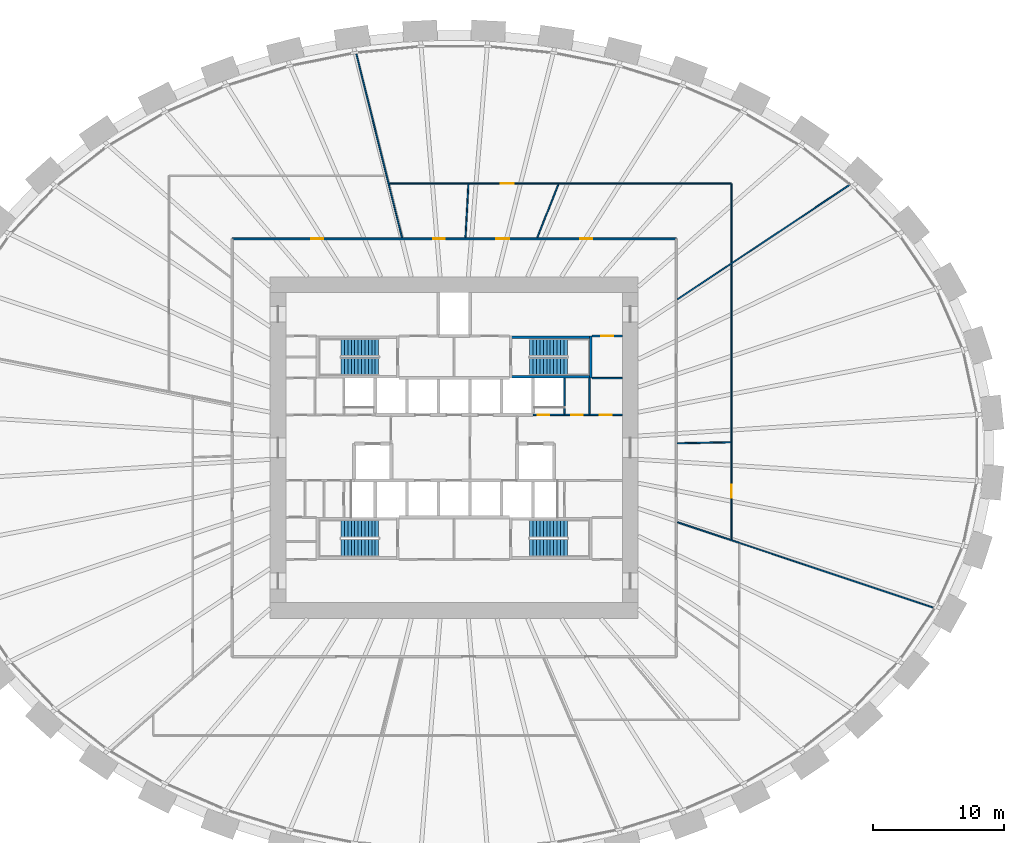
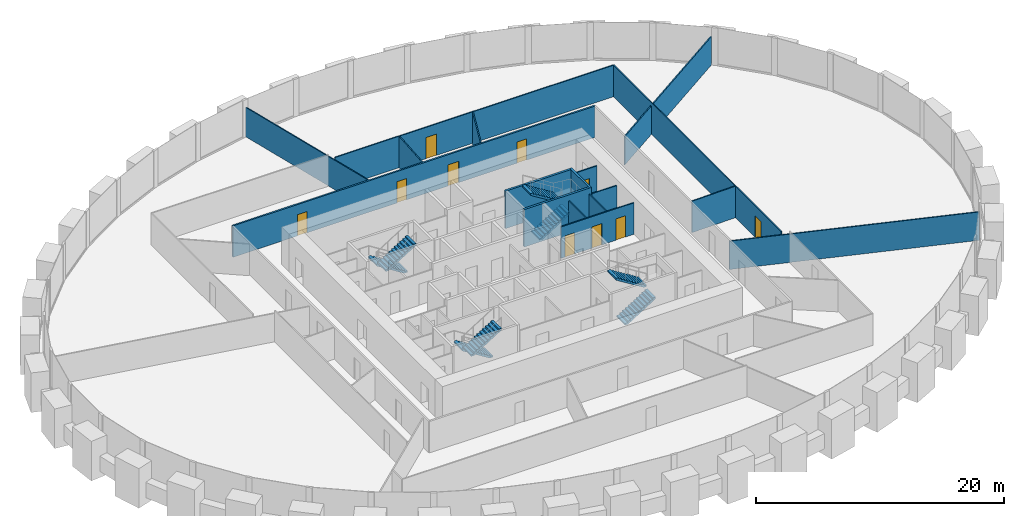
# One storey, part 9 of 10: 17 walls, 10 doors, 8 stair flights, 10 openings, 4 elements without a shape of their own.
"""IFC4 building model written with IfcOpenShell, lengths in metres."""

from ifc_helpers import new_model, si_unit, direction, frame, frame_2d, origin, place, context, subcontext, project, spatial, polyline, rectangle, outline, extrude, source, transform, mapped, material, layer, layer_set, type_object, element, fill, aggregate, save


model = new_model("IFC4")

# Units and contexts
model_context = context("Model", 3, precision=1e-05, world=origin(), true_north=direction((0.0, 1.0)))
body_context = subcontext(model_context, "Body", "Model", "MODEL_VIEW")
ifc_project = project(units=[si_unit("LENGTHUNIT", "METRE"), si_unit("AREAUNIT", "SQUARE_METRE"), si_unit("VOLUMEUNIT", "CUBIC_METRE"), si_unit("PLANEANGLEUNIT", "RADIAN"), si_unit("MASSUNIT", "GRAM", prefix="KILO")], contexts=[model_context])

# Site, building, storey
site_placement = place(None, origin())
site = spatial("IfcSite", under=ifc_project, at=site_placement, CompositionType="ELEMENT")
building_placement = place(site_placement, origin())
building = spatial("IfcBuilding", under=site, at=building_placement, Name="Embergate Tower", CompositionType="ELEMENT")
storey_placement = place(building_placement, frame((0.0, 0.0, 93.199951171875)))
storey = spatial("IfcBuildingStorey", under=building, at=storey_placement, Name="L19", CompositionType="ELEMENT", Elevation=93.199951171875)

# Wall, openings, doors
ifc_material_1 = material(Name="Core partition blockwork 120")
ifc_layer_1 = layer(ifc_material_1, 0.1201171875)
ifc_layer_set_1 = layer_set([ifc_layer_1], Name="Core partition blockwork 120")
wall_type_1 = type_object("IfcWallType", Name="Core partition blockwork 120", PredefinedType="PARTITIONING", material=ifc_layer_set_1)
shared_shape_1 = source(origin(), body_context, "Body", "SweptSolid", [
    extrude(rectangle(XDim=6.800048828125, YDim=0.1201171875, at=frame_2d((3.39990234375, 0.0))), origin(), (0.0, 0.0, 1.0), 3.10009765625),
])
wall_1_placement = place(storey_placement, frame((6.0, 2.5, 0.0), z_axis=(0.0, 0.0, 1.0), x_axis=(1.0, 0.0, 0.0)))
wall_1 = element("IfcWall", 1, at=wall_1_placement, inside=storey, type_object=wall_type_1, Name="IP-3 wall", PredefinedType="PARTITIONING", context=body_context, shape_type="MappedRepresentation", body=[
    mapped(shared_shape_1, transform((0.0, 0.0, 0.0))),
])
shared_shape_2 = source(origin(), body_context, "Body", "SweptSolid", [
    extrude(rectangle(XDim=0.89990234375, YDim=2.10009765625, at=frame_2d((0.449951171875, 1.050048828125))), frame((0.0, 0.070068359375, 0.0), z_axis=(0.0, -1.0, 0.0), x_axis=(1.0, 0.0, 0.0)), (0.0, 0.0, 1.0), 0.14013671875),
])
opening_1_placement = place(wall_1_placement, frame((0.35009765625, 0.0, 0.0)))
opening_1 = element("IfcOpeningElement", 2, at=opening_1_placement, cuts=wall_1, Name="Opening ID-1", PredefinedType="OPENING", context=body_context, shape_type="MappedRepresentation", body=[
    mapped(shared_shape_2, transform((0.0, 0.0, 0.0))),
])
opening_2_placement = place(wall_1_placement, frame((2.89599609375, 0.0, 0.0)))
opening_2 = element("IfcOpeningElement", 3, at=opening_2_placement, cuts=wall_1, Name="Opening ID-1", PredefinedType="OPENING", context=body_context, shape_type="MappedRepresentation", body=[
    mapped(shared_shape_2, transform((0.0, 0.0, 0.0))),
])
opening_3_placement = place(wall_1_placement, frame((5.095947265625, 0.0, 0.0)))
opening_3 = element("IfcOpeningElement", 4, at=opening_3_placement, cuts=wall_1, Name="Opening ID-1", PredefinedType="OPENING", context=body_context, shape_type="MappedRepresentation", body=[
    mapped(shared_shape_2, transform((0.0, 0.0, 0.0))),
])
ifc_material_2 = material(Name="Interior door 900")
door_type_1 = type_object("IfcDoorType", Name="Interior door 900", OperationType="SINGLE_SWING_LEFT", PredefinedType="DOOR", material=ifc_material_2)
shared_shape_3 = source(origin(), body_context, "Body", "SweptSolid", [
    extrude(rectangle(XDim=0.89990234375, YDim=2.10009765625, at=frame_2d((0.449951171875, 1.050048828125))), frame((0.0, 0.02490234375, 0.0), z_axis=(0.0, -1.0, 0.0), x_axis=(1.0, 0.0, 0.0)), (0.0, 0.0, 1.0), 0.050048828125),
])
door_1_placement = place(opening_1_placement, origin())
door_1 = element("IfcDoor", 5, at=door_1_placement, inside=storey, type_object=door_type_1, Name="ID-1 door", OperationType="SINGLE_SWING_LEFT", OverallHeight=2.10009765625, OverallWidth=0.89990234375, PredefinedType="DOOR", context=body_context, shape_type="MappedRepresentation", body=[
    mapped(shared_shape_3, transform((0.0, 0.0, 0.0))),
])
fill(opening_1, door_1)
door_2_placement = place(opening_2_placement, origin())
door_2 = element("IfcDoor", 6, at=door_2_placement, inside=storey, type_object=door_type_1, Name="ID-1 door", OperationType="SINGLE_SWING_LEFT", OverallHeight=2.10009765625, OverallWidth=0.89990234375, PredefinedType="DOOR", context=body_context, shape_type="MappedRepresentation", body=[
    mapped(shared_shape_3, transform((0.0, 0.0, 0.0))),
])
fill(opening_2, door_2)
door_3_placement = place(opening_3_placement, origin())
door_3 = element("IfcDoor", 7, at=door_3_placement, inside=storey, type_object=door_type_1, Name="ID-1 door", OperationType="SINGLE_SWING_RIGHT", OverallHeight=2.10009765625, OverallWidth=0.89990234375, PredefinedType="DOOR", context=body_context, shape_type="MappedRepresentation", body=[
    mapped(shared_shape_3, transform((0.0, 0.0, 0.0))),
])
fill(opening_3, door_3)

# Walls
ifc_material_3 = material(Name="Concrete C50", Category="concrete")
ifc_layer_2 = layer(ifc_material_3, 0.199951171875)
ifc_layer_set_2 = layer_set([ifc_layer_2], Name="Concrete C50")
wall_type_2 = type_object("IfcWallType", Name="Stair enclosure wall reinforced concrete 250", PredefinedType="SHEAR", material=ifc_layer_set_2)
shared_shape_4 = source(origin(), body_context, "Body", "SweptSolid", [
    extrude(rectangle(XDim=6.300048828125, YDim=0.199951171875, at=frame_2d((3.14990234375, 0.0))), origin(), (0.0, 0.0, 1.0), 3.699951171875),
])
for number, where, z_axis, x_axis, name in (
    (8, (10.5, 5.39990234375, 0.0), (0.0, 0.0, 1.0), (-1.0, 0.0, 0.0), "SE-1 wall"),
    (9, (10.5, 8.39990234375, 0.0), (0.0, 0.0, 1.0), (-1.0, 0.0, 0.0), "SE-1 wall"),
):
    element("IfcWall", number, at=place(storey_placement, frame(where, z_axis=z_axis, x_axis=x_axis)), inside=storey, type_object=wall_type_2, Name=name, PredefinedType="SHEAR", context=body_context, shape_type="MappedRepresentation", body=[
        mapped(shared_shape_4, transform((0.0, 0.0, 0.0))),
    ])
shared_shape_5 = source(origin(), body_context, "Body", "SweptSolid", [
    extrude(rectangle(XDim=2.739990234375, YDim=0.1201171875, at=frame_2d((1.3701171875, 0.0))), origin(), (0.0, 0.0, 1.0), 3.10009765625),
])
for number, where, z_axis, x_axis, name in (
    (10, (8.39990234375, 2.56005859375, 0.0), (0.0, 0.0, 1.0), (0.0, 1.0, 0.0), "IP-3 wall"),
    (11, (10.2919921875, 2.56005859375, 0.0), (0.0, 0.0, 1.0), (0.0, 1.0, 0.0), "IP-3 wall"),
):
    element("IfcWall", number, at=place(storey_placement, frame(where, z_axis=z_axis, x_axis=x_axis)), inside=storey, type_object=wall_type_1, Name=name, PredefinedType="PARTITIONING", context=body_context, shape_type="MappedRepresentation", body=[
        mapped(shared_shape_5, transform((0.0, 0.0, 0.0))),
    ])
shared_shape_6 = source(origin(), body_context, "Body", "SweptSolid", [
    extrude(rectangle(XDim=3.199951171875, YDim=0.199951171875, at=frame_2d((1.60009765625, 0.0))), origin(), (0.0, 0.0, 1.0), 3.699951171875),
])
wall_2_placement = place(storey_placement, frame((10.39990234375, 5.300048828125, 0.0), z_axis=(0.0, 0.0, 1.0), x_axis=(0.0, 1.0, 0.0)))
element("IfcWall", 12, at=wall_2_placement, inside=storey, type_object=wall_type_2, Name="SE-1 wall", PredefinedType="SHEAR", context=body_context, shape_type="MappedRepresentation", body=[
    mapped(shared_shape_6, transform((0.0, 0.0, 0.0))),
])

# Wall, opening, door
shared_shape_7 = source(origin(), body_context, "Body", "SweptSolid", [
    extrude(rectangle(XDim=2.300048828125, YDim=0.1201171875, at=frame_2d((1.14990234375, 0.0))), origin(), (0.0, 0.0, 1.0), 3.10009765625),
])
wall_3_placement = place(storey_placement, frame((10.5, 8.5, 0.0), z_axis=(0.0, 0.0, 1.0), x_axis=(1.0, 0.0, 0.0)))
wall_3 = element("IfcWall", 13, at=wall_3_placement, inside=storey, type_object=wall_type_1, Name="IP-3 wall", PredefinedType="PARTITIONING", context=body_context, shape_type="MappedRepresentation", body=[
    mapped(shared_shape_7, transform((0.0, 0.0, 0.0))),
])
opening_4_placement = place(wall_3_placement, frame((0.699951171875, 0.0, 0.0)))
opening_4 = element("IfcOpeningElement", 14, at=opening_4_placement, cuts=wall_3, Name="Opening ID-1", PredefinedType="OPENING", context=body_context, shape_type="MappedRepresentation", body=[
    mapped(shared_shape_2, transform((0.0, 0.0, 0.0))),
])
door_4_placement = place(opening_4_placement, origin())
door_4 = element("IfcDoor", 15, at=door_4_placement, inside=storey, type_object=door_type_1, Name="ID-1 door", OperationType="SINGLE_SWING_RIGHT", OverallHeight=2.10009765625, OverallWidth=0.89990234375, PredefinedType="DOOR", context=body_context, shape_type="MappedRepresentation", body=[
    mapped(shared_shape_3, transform((0.0, 0.0, 0.0))),
])
fill(opening_4, door_4)

# Wall
wall_4_placement = place(storey_placement, frame((12.800048828125, 5.300048828125, 0.0), z_axis=(0.0, 0.0, 1.0), x_axis=(-1.0, 0.0, 0.0)))
element("IfcWall", 16, at=wall_4_placement, inside=storey, type_object=wall_type_1, Name="IP-3 wall", PredefinedType="PARTITIONING", context=body_context, shape_type="MappedRepresentation", body=[
    mapped(shared_shape_7, transform((0.0, 0.0, 0.0))),
])

# Wall, openings, doors
ifc_material_4 = material(Name="Corridor wall dry-lined 150")
ifc_layer_3 = layer(ifc_material_4, 0.14990234375)
ifc_layer_set_3 = layer_set([ifc_layer_3], Name="Corridor wall dry-lined 150")
wall_type_3 = type_object("IfcWallType", Name="Corridor wall dry-lined 150", PredefinedType="PARTITIONING", material=ifc_layer_set_3)
shared_shape_8 = source(origin(), body_context, "Body", "SweptSolid", [
    extrude(rectangle(XDim=33.7998046875, YDim=0.14990234375, at=frame_2d((16.89990234375, 0.0))), origin(), (0.0, 0.0, 1.0), 3.10009765625),
])
wall_5_placement = place(storey_placement, frame((-16.89990234375, 15.89990234375, 0.0), z_axis=(0.0, 0.0, 1.0), x_axis=(1.0, 0.0, 0.0)))
wall_5 = element("IfcWall", 17, at=wall_5_placement, inside=storey, type_object=wall_type_3, Name="IP-2 wall", PredefinedType="PARTITIONING", context=body_context, shape_type="MappedRepresentation", body=[
    mapped(shared_shape_8, transform((0.0, 0.0, 0.0))),
])
shared_shape_9 = source(origin(), body_context, "Body", "SweptSolid", [
    extrude(rectangle(XDim=0.89990234375, YDim=2.10009765625, at=frame_2d((0.449951171875, 1.050048828125))), frame((0.0, 0.0849609375, 0.0), z_axis=(0.0, -1.0, 0.0), x_axis=(1.0, 0.0, 0.0)), (0.0, 0.0, 1.0), 0.169921875),
])
opening_5_placement = place(wall_5_placement, frame((26.49609375, 0.0, 0.0)))
opening_5 = element("IfcOpeningElement", 18, at=opening_5_placement, cuts=wall_5, Name="Opening IF-1c", PredefinedType="OPENING", context=body_context, shape_type="MappedRepresentation", body=[
    mapped(shared_shape_9, transform((0.0, 0.0, 0.0))),
])
shared_shape_10 = source(origin(), body_context, "Body", "SweptSolid", [
    extrude(rectangle(XDim=1.0, YDim=2.10009765625, at=frame_2d((0.5, 1.050048828125))), frame((0.0, 0.0849609375, 0.0), z_axis=(0.0, -1.0, 0.0), x_axis=(1.0, 0.0, 0.0)), (0.0, 0.0, 1.0), 0.169921875),
])
opening_6_placement = place(wall_5_placement, frame((20.087890625, 0.0, 0.0)))
opening_6 = element("IfcOpeningElement", 19, at=opening_6_placement, cuts=wall_5, Name="Opening ID-2", PredefinedType="OPENING", context=body_context, shape_type="MappedRepresentation", body=[
    mapped(shared_shape_10, transform((0.0, 0.0, 0.0))),
])
opening_7_placement = place(wall_5_placement, frame((15.299072265625, 0.0, 0.0)))
opening_7 = element("IfcOpeningElement", 20, at=opening_7_placement, cuts=wall_5, Name="Opening IF-1c", PredefinedType="OPENING", context=body_context, shape_type="MappedRepresentation", body=[
    mapped(shared_shape_9, transform((0.0, 0.0, 0.0))),
])
opening_8_placement = place(wall_5_placement, frame((6.02392578125, 0.0, 0.0)))
opening_8 = element("IfcOpeningElement", 21, at=opening_8_placement, cuts=wall_5, Name="Opening IF-1c", PredefinedType="OPENING", context=body_context, shape_type="MappedRepresentation", body=[
    mapped(shared_shape_9, transform((0.0, 0.0, 0.0))),
])
ifc_material_5 = material(Name="Escape fire door 900")
door_type_2 = type_object("IfcDoorType", Name="Escape fire door 900", OperationType="SINGLE_SWING_LEFT", PredefinedType="DOOR", material=ifc_material_5)
door_5_placement = place(opening_5_placement, origin())
door_5 = element("IfcDoor", 22, at=door_5_placement, inside=storey, type_object=door_type_2, Name="IF-1 door", OperationType="SINGLE_SWING_RIGHT", OverallHeight=2.10009765625, OverallWidth=0.89990234375, PredefinedType="DOOR", context=body_context, shape_type="MappedRepresentation", body=[
    mapped(shared_shape_3, transform((0.0, 0.0, 0.0))),
])
fill(opening_5, door_5)
door_6_placement = place(opening_7_placement, origin())
door_6 = element("IfcDoor", 23, at=door_6_placement, inside=storey, type_object=door_type_2, Name="IF-1 door", OperationType="SINGLE_SWING_LEFT", OverallHeight=2.10009765625, OverallWidth=0.89990234375, PredefinedType="DOOR", context=body_context, shape_type="MappedRepresentation", body=[
    mapped(shared_shape_3, transform((0.0, 0.0, 0.0))),
])
fill(opening_7, door_6)
door_7_placement = place(opening_8_placement, origin())
door_7 = element("IfcDoor", 24, at=door_7_placement, inside=storey, type_object=door_type_2, Name="IF-1 door", OperationType="SINGLE_SWING_LEFT", OverallHeight=2.10009765625, OverallWidth=0.89990234375, PredefinedType="DOOR", context=body_context, shape_type="MappedRepresentation", body=[
    mapped(shared_shape_3, transform((0.0, 0.0, 0.0))),
])
fill(opening_8, door_7)
ifc_material_6 = material(Name="Interior door 1000")
door_type_3 = type_object("IfcDoorType", Name="Interior door 1000", OperationType="SINGLE_SWING_LEFT", PredefinedType="DOOR", material=ifc_material_6)
shared_shape_11 = source(origin(), body_context, "Body", "SweptSolid", [
    extrude(rectangle(XDim=1.0, YDim=2.10009765625, at=frame_2d((0.5, 1.050048828125))), frame((0.0, 0.02490234375, 0.0), z_axis=(0.0, -1.0, 0.0), x_axis=(1.0, 0.0, 0.0)), (0.0, 0.0, 1.0), 0.050048828125),
])
door_8_placement = place(opening_6_placement, origin())
door_8 = element("IfcDoor", 25, at=door_8_placement, inside=storey, type_object=door_type_3, Name="ID-2 door", OperationType="SINGLE_SWING_LEFT", OverallHeight=2.10009765625, OverallWidth=1.0, PredefinedType="DOOR", context=body_context, shape_type="MappedRepresentation", body=[
    mapped(shared_shape_11, transform((0.0, 0.0, 0.0))),
])
fill(opening_6, door_8)

# Walls
ifc_material_7 = material(Name="Partition dry-lined 100")
ifc_layer_4 = layer(ifc_material_7, 0.10009765625)
ifc_layer_set_4 = layer_set([ifc_layer_4], Name="Partition dry-lined 100")
wall_type_4 = type_object("IfcWallType", Name="Partition dry-lined 100", PredefinedType="PARTITIONING", material=ifc_layer_set_4)
shared_shape_12 = source(origin(), body_context, "Body", "SweptSolid", [
    extrude(rectangle(XDim=20.6474609375, YDim=0.10009765625, at=frame_2d((10.32373046875, 0.0))), origin(), (0.0, 0.0, 1.0), 2.800048828125),
])
wall_6_placement = place(storey_placement, frame((16.990966796875, -5.673095703125, 0.0), z_axis=(0.0, 0.0, 1.0), x_axis=(0.948544863026, -0.316642768474, 0.0)))
element("IfcWall", 26, at=wall_6_placement, inside=storey, type_object=wall_type_4, Name="IP-1 wall", PredefinedType="PARTITIONING", context=body_context, shape_type="MappedRepresentation", body=[
    mapped(shared_shape_12, transform((0.0, 0.0, 0.0))),
])
shared_shape_13 = source(origin(), body_context, "Body", "SweptSolid", [
    extrude(rectangle(XDim=4.07568359375, YDim=0.10009765625, at=frame_2d((2.037841796875, 0.0))), origin(), (0.0, 0.0, 1.0), 3.10009765625),
])
wall_7_placement = place(storey_placement, frame((16.97509765625, 0.333984375, 0.0), z_axis=(0.0, 0.0, 1.0), x_axis=(0.999806968931, 0.019647515776, 0.0)))
element("IfcWall", 27, at=wall_7_placement, inside=storey, type_object=wall_type_4, Name="IP-1 wall", PredefinedType="PARTITIONING", context=body_context, shape_type="MappedRepresentation", body=[
    mapped(shared_shape_13, transform((0.0, 0.0, 0.0))),
])

# Wall, opening, door
shared_shape_14 = source(origin(), body_context, "Body", "SweptSolid", [
    extrude(rectangle(XDim=27.0751953125, YDim=0.10009765625, at=frame_2d((13.53759765625, 0.0))), origin(), (0.0, 0.0, 1.0), 3.10009765625),
])
wall_8_placement = place(storey_placement, frame((21.10009765625, -6.97509765625, 0.0), z_axis=(0.0, 0.0, 1.0), x_axis=(0.0, 1.0, 0.0)))
wall_8 = element("IfcWall", 28, at=wall_8_placement, inside=storey, type_object=wall_type_4, Name="IP-1 wall", PredefinedType="PARTITIONING", context=body_context, shape_type="MappedRepresentation", body=[
    mapped(shared_shape_14, transform((0.0, 0.0, 0.0))),
])
shared_shape_15 = source(origin(), body_context, "Body", "SweptSolid", [
    extrude(rectangle(XDim=1.0, YDim=2.10009765625, at=frame_2d((0.5, 1.050048828125))), frame((0.0, 0.06005859375, 0.0), z_axis=(0.0, -1.0, 0.0), x_axis=(1.0, 0.0, 0.0)), (0.0, 0.0, 1.0), 0.1201171875),
])
opening_9_placement = place(wall_8_placement, frame((3.16015625, 0.0, 0.0)))
opening_9 = element("IfcOpeningElement", 29, at=opening_9_placement, cuts=wall_8, Name="Opening ID-2", PredefinedType="OPENING", context=body_context, shape_type="MappedRepresentation", body=[
    mapped(shared_shape_15, transform((0.0, 0.0, 0.0))),
])
door_9_placement = place(opening_9_placement, origin())
door_9 = element("IfcDoor", 30, at=door_9_placement, inside=storey, type_object=door_type_3, Name="ID-2 door", OperationType="SINGLE_SWING_RIGHT", OverallHeight=2.10009765625, OverallWidth=1.0, PredefinedType="DOOR", context=body_context, shape_type="MappedRepresentation", body=[
    mapped(shared_shape_11, transform((0.0, 0.0, 0.0))),
])
fill(opening_9, door_9)

# Walls
shared_shape_16 = source(origin(), body_context, "Body", "SweptSolid", [
    extrude(rectangle(XDim=15.781005859375, YDim=0.10009765625, at=frame_2d((7.890625, 0.0))), origin(), (0.0, 0.0, 1.0), 2.800048828125),
])
wall_9_placement = place(storey_placement, frame((17.0029296875, 11.299072265625, 0.0), z_axis=(0.0, 0.0, 1.0), x_axis=(0.83284439083, 0.553507200191, 0.0)))
element("IfcWall", 31, at=wall_9_placement, inside=storey, type_object=wall_type_4, Name="IP-1 wall", PredefinedType="PARTITIONING", context=body_context, shape_type="MappedRepresentation", body=[
    mapped(shared_shape_16, transform((0.0, 0.0, 0.0))),
])
shared_shape_17 = source(origin(), body_context, "Body", "SweptSolid", [
    extrude(rectangle(XDim=4.34326171875, YDim=0.10009765625, at=frame_2d((2.171630859375, 0.0))), origin(), (0.0, 0.0, 1.0), 3.10009765625),
])
wall_10_placement = place(storey_placement, frame((6.326904296875, 15.992919921875, 0.0), z_axis=(0.0, 0.0, 1.0), x_axis=(0.367724457784, 0.929934795105, 0.0)))
element("IfcWall", 32, at=wall_10_placement, inside=storey, type_object=wall_type_4, Name="IP-1 wall", PredefinedType="PARTITIONING", context=body_context, shape_type="MappedRepresentation", body=[
    mapped(shared_shape_17, transform((0.0, 0.0, 0.0))),
])

# Wall, opening, door
shared_shape_18 = source(origin(), body_context, "Body", "SweptSolid", [
    extrude(rectangle(XDim=26.031005859375, YDim=0.10009765625, at=frame_2d((13.015625, 0.0))), origin(), (0.0, 0.0, 1.0), 3.10009765625),
])
wall_11_placement = place(storey_placement, frame((21.10009765625, 20.10009765625, 0.0), z_axis=(0.0, 0.0, 1.0), x_axis=(-1.0, 0.0, 0.0)))
wall_11 = element("IfcWall", 33, at=wall_11_placement, inside=storey, type_object=wall_type_4, Name="IP-1 wall", PredefinedType="PARTITIONING", context=body_context, shape_type="MappedRepresentation", body=[
    mapped(shared_shape_18, transform((0.0, 0.0, 0.0))),
])
opening_10_placement = place(wall_11_placement, frame((16.556884765625, 0.0, 0.0)))
opening_10 = element("IfcOpeningElement", 34, at=opening_10_placement, cuts=wall_11, Name="Opening ID-2", PredefinedType="OPENING", context=body_context, shape_type="MappedRepresentation", body=[
    mapped(shared_shape_15, transform((0.0, 0.0, 0.0))),
])
door_10_placement = place(opening_10_placement, origin())
door_10 = element("IfcDoor", 35, at=door_10_placement, inside=storey, type_object=door_type_3, Name="ID-2 door", OperationType="SINGLE_SWING_LEFT", OverallHeight=2.10009765625, OverallWidth=1.0, PredefinedType="DOOR", context=body_context, shape_type="MappedRepresentation", body=[
    mapped(shared_shape_11, transform((0.0, 0.0, 0.0))),
])
fill(opening_10, door_10)

# Walls
shared_shape_19 = source(origin(), body_context, "Body", "SweptSolid", [
    extrude(rectangle(XDim=4.080810546875, YDim=0.10009765625, at=frame_2d((2.04052734375, 0.0))), origin(), (0.0, 0.0, 1.0), 3.10009765625),
])
wall_12_placement = place(storey_placement, frame((0.861083984375, 15.97509765625, 0.0), z_axis=(0.0, 0.0, 1.0), x_axis=(0.053664098171, 0.998559044107, 0.0)))
element("IfcWall", 36, at=wall_12_placement, inside=storey, type_object=wall_type_4, Name="IP-1 wall", PredefinedType="PARTITIONING", context=body_context, shape_type="MappedRepresentation", body=[
    mapped(shared_shape_19, transform((0.0, 0.0, 0.0))),
])
shared_shape_20 = source(origin(), body_context, "Body", "SweptSolid", [
    extrude(rectangle(XDim=14.497802734375, YDim=0.10009765625, at=frame_2d((7.2490234375, 0.0))), origin(), (0.0, 0.0, 1.0), 2.900146484375),
])
wall_13_placement = place(storey_placement, frame((-7.469970703125, 30.056884765625, 0.0), z_axis=(0.0, 0.0, 1.0), x_axis=(0.241211996336, -0.970472448256, 0.0)))
element("IfcWall", 37, at=wall_13_placement, inside=storey, type_object=wall_type_4, Name="IP-1 wall", PredefinedType="PARTITIONING", context=body_context, shape_type="MappedRepresentation", body=[
    mapped(shared_shape_20, transform((0.0, 0.0, 0.0))),
])

# Stair, stair flights
ifc_material_8 = material(Name="Exit stair")
stair_type = type_object("IfcStairType", Name="Exit stair", PredefinedType="HALF_TURN_STAIR", material=ifc_material_8)
stair_1_placement = place(storey_placement, origin())
stair_1 = element("IfcStair", 38, at=stair_1_placement, inside=storey, type_object=stair_type, Name="L19 Exit stair 1", PredefinedType="HALF_TURN_STAIR")
ifc_material_9 = material(Name="Concrete C40", Category="concrete")
stair_flight_type = type_object("IfcStairFlightType", Name="Stair flight reinforced concrete", PredefinedType="STRAIGHT", material=ifc_material_9)
shared_shape_21 = source(origin(), body_context, "Body", "SweptSolid", [
    extrude(outline(polyline([(0.0, 0.0), (0.0, 0.16259765625), (0.260009765625, 0.16259765625), (0.260009765625, 0.324951171875), (0.52001953125, 0.324951171875), (0.52001953125, 0.487548828125), (0.780029296875, 0.487548828125), (0.780029296875, 0.64990234375), (1.0400390625, 0.64990234375), (1.0400390625, 0.8125), (1.300048828125, 0.8125), (1.300048828125, 0.97509765625), (1.56005859375, 0.97509765625), (1.56005859375, 1.137451171875), (1.820068359375, 1.137451171875), (1.820068359375, 1.300048828125), (2.080078125, 1.300048828125), (2.080078125, 1.46240234375), (2.340087890625, 1.46240234375), (2.340087890625, 1.625), (2.60009765625, 1.625), (2.60009765625, 1.78759765625), (2.860107421875, 1.78759765625), (2.860107421875, 1.949951171875), (2.860107421875, 1.61083984375), (0.28271484375, 0.0), (0.0, 0.0)])), frame((0.0, 0.675048828125, 0.0), z_axis=(0.0, -1.0, 0.0), x_axis=(1.0, 0.0, 0.0)), (0.0, 0.0, 1.0), 1.35009765625),
])
stair_flight_1_placement = place(storey_placement, frame((-5.75, 7.625, 0.0), z_axis=(0.0, 0.0, 1.0), x_axis=(-1.0, 0.0, 0.0)))
stair_flight_1 = element("IfcStairFlight", 39, at=stair_flight_1_placement, type_object=stair_flight_type, Name="ST1 flight 1", NumberOfRisers=12, NumberOfTreads=11, PredefinedType="STRAIGHT", RiserHeight=0.1625, TreadLength=0.26, context=body_context, shape_type="MappedRepresentation", body=[
    mapped(shared_shape_21, transform((0.0, 0.0, 0.0))),
])
stair_flight_2_placement = place(storey_placement, frame((-8.610107421875, 6.175048828125, 1.949951171875), z_axis=(0.0, 0.0, 1.0), x_axis=(1.0, 0.0, 0.0)))
stair_flight_2 = element("IfcStairFlight", 40, at=stair_flight_2_placement, type_object=stair_flight_type, Name="ST1 flight 2", NumberOfRisers=12, NumberOfTreads=11, PredefinedType="STRAIGHT", RiserHeight=0.1625, TreadLength=0.26, context=body_context, shape_type="MappedRepresentation", body=[
    mapped(shared_shape_21, transform((0.0, 0.0, 0.0))),
])
aggregate(stair_1, [stair_flight_1, stair_flight_2])

stair_2_placement = place(storey_placement, origin())
stair_2 = element("IfcStair", 41, at=stair_2_placement, inside=storey, type_object=stair_type, Name="L19 Exit stair 2", PredefinedType="HALF_TURN_STAIR")
stair_flight_3_placement = place(storey_placement, frame((5.75, 6.175048828125, 0.0), z_axis=(0.0, 0.0, 1.0), x_axis=(1.0, 0.0, 0.0)))
stair_flight_3 = element("IfcStairFlight", 42, at=stair_flight_3_placement, type_object=stair_flight_type, Name="ST2 flight 1", NumberOfRisers=12, NumberOfTreads=11, PredefinedType="STRAIGHT", RiserHeight=0.1625, TreadLength=0.26, context=body_context, shape_type="MappedRepresentation", body=[
    mapped(shared_shape_21, transform((0.0, 0.0, 0.0))),
])
stair_flight_4_placement = place(storey_placement, frame((8.610107421875, 7.625, 1.949951171875), z_axis=(0.0, 0.0, 1.0), x_axis=(-1.0, 0.0, 0.0)))
stair_flight_4 = element("IfcStairFlight", 43, at=stair_flight_4_placement, type_object=stair_flight_type, Name="ST2 flight 2", NumberOfRisers=12, NumberOfTreads=11, PredefinedType="STRAIGHT", RiserHeight=0.1625, TreadLength=0.26, context=body_context, shape_type="MappedRepresentation", body=[
    mapped(shared_shape_21, transform((0.0, 0.0, 0.0))),
])
aggregate(stair_2, [stair_flight_3, stair_flight_4])

stair_3_placement = place(storey_placement, origin())
stair_3 = element("IfcStair", 44, at=stair_3_placement, inside=storey, type_object=stair_type, Name="L19 Exit stair 3", PredefinedType="HALF_TURN_STAIR")
stair_flight_5_placement = place(storey_placement, frame((-5.75, -6.175048828125, 0.0), z_axis=(0.0, 0.0, 1.0), x_axis=(-1.0, 0.0, 0.0)))
stair_flight_5 = element("IfcStairFlight", 45, at=stair_flight_5_placement, type_object=stair_flight_type, Name="ST3 flight 1", NumberOfRisers=12, NumberOfTreads=11, PredefinedType="STRAIGHT", RiserHeight=0.1625, TreadLength=0.26, context=body_context, shape_type="MappedRepresentation", body=[
    mapped(shared_shape_21, transform((0.0, 0.0, 0.0))),
])
stair_flight_6_placement = place(storey_placement, frame((-8.610107421875, -7.625, 1.949951171875), z_axis=(0.0, 0.0, 1.0), x_axis=(1.0, 0.0, 0.0)))
stair_flight_6 = element("IfcStairFlight", 46, at=stair_flight_6_placement, type_object=stair_flight_type, Name="ST3 flight 2", NumberOfRisers=12, NumberOfTreads=11, PredefinedType="STRAIGHT", RiserHeight=0.1625, TreadLength=0.26, context=body_context, shape_type="MappedRepresentation", body=[
    mapped(shared_shape_21, transform((0.0, 0.0, 0.0))),
])
aggregate(stair_3, [stair_flight_5, stair_flight_6])

stair_4_placement = place(storey_placement, origin())
stair_4 = element("IfcStair", 47, at=stair_4_placement, inside=storey, type_object=stair_type, Name="L19 Exit stair 4", PredefinedType="HALF_TURN_STAIR")
stair_flight_7_placement = place(storey_placement, frame((5.75, -7.625, 0.0), z_axis=(0.0, 0.0, 1.0), x_axis=(1.0, 0.0, 0.0)))
stair_flight_7 = element("IfcStairFlight", 48, at=stair_flight_7_placement, type_object=stair_flight_type, Name="ST4 flight 1", NumberOfRisers=12, NumberOfTreads=11, PredefinedType="STRAIGHT", RiserHeight=0.1625, TreadLength=0.26, context=body_context, shape_type="MappedRepresentation", body=[
    mapped(shared_shape_21, transform((0.0, 0.0, 0.0))),
])
stair_flight_8_placement = place(storey_placement, frame((8.610107421875, -6.175048828125, 1.949951171875), z_axis=(0.0, 0.0, 1.0), x_axis=(-1.0, 0.0, 0.0)))
stair_flight_8 = element("IfcStairFlight", 49, at=stair_flight_8_placement, type_object=stair_flight_type, Name="ST4 flight 2", NumberOfRisers=12, NumberOfTreads=11, PredefinedType="STRAIGHT", RiserHeight=0.1625, TreadLength=0.26, context=body_context, shape_type="MappedRepresentation", body=[
    mapped(shared_shape_21, transform((0.0, 0.0, 0.0))),
])
aggregate(stair_4, [stair_flight_7, stair_flight_8])

save(model, "model.ifc")
